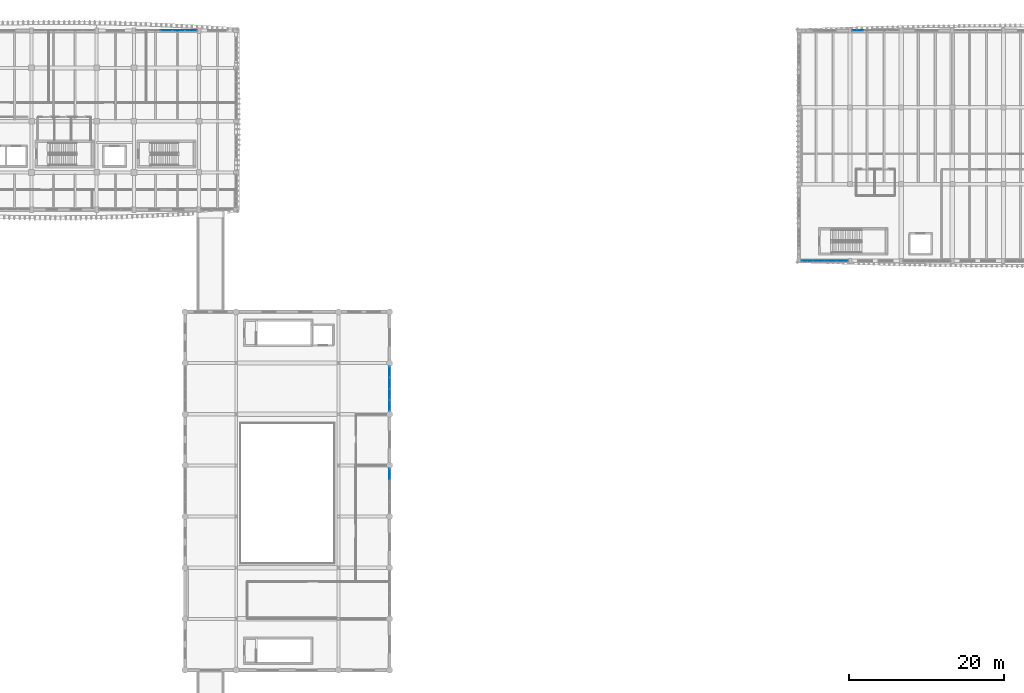
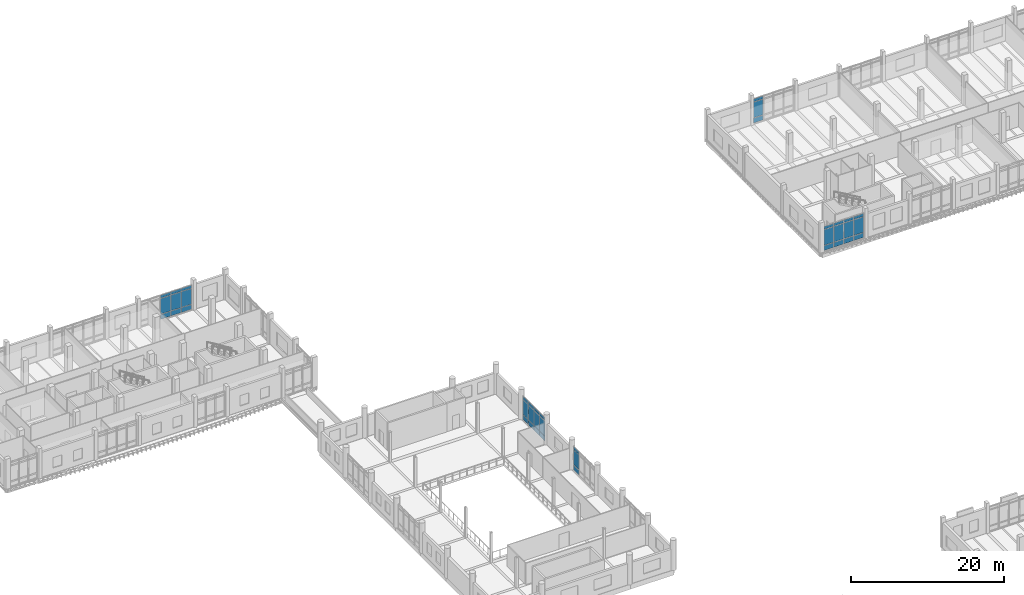
# One storey, part 37 of 76: 39 plates, 5 elements without a shape of their own.
"""IFC4 building model written with IfcOpenShell, lengths in metres."""

import ifcopenshell
import ifcopenshell.guid

model = None  # the IFC model being written
_history = None  # IfcOwnerHistory: only IFC2X3 demands one
_inside = {}  # id of a spatial element -> (the spatial element, [elements in it])
_under = {}  # id of a project, library or spatial element -> (it, [spatial elements below it])
_declared = {}  # id of a project -> (the project, [libraries it declares])
_typed = {}  # id of a type object -> (the type object, [elements of that type])
_made_of = {}  # id of a material, layer set ... -> (it, [elements and type objects made of it])


def new_model(schema):
    """Start an empty IFC model of exactly this schema.

    Asked for "IFC4X3", IfcOpenShell would pick the latest addendum, in which some entities
    have other attributes; the version numbers below select the first issue.
    IFC2X3 requires an IfcOwnerHistory on every rooted entity: one is made here for all.
    """
    global model, _history
    if schema == "IFC4X3":
        model = ifcopenshell.file(schema_version=(4, 3, 0, 0))
    else:
        model = ifcopenshell.file(schema=schema)
    _inside.clear()
    _under.clear()
    _declared.clear()
    _typed.clear()
    _made_of.clear()
    _history = None
    if model.schema == "IFC2X3":
        org = make("IfcOrganization", Name="unknown")
        user = make(
            "IfcPersonAndOrganization",
            ThePerson=make("IfcPerson", FamilyName="unknown"),
            TheOrganization=org,
        )
        app = make(
            "IfcApplication",
            ApplicationDeveloper=org,
            Version="unknown",
            ApplicationFullName="unknown",
            ApplicationIdentifier="unknown",
        )
        _history = make(
            "IfcOwnerHistory",
            OwningUser=user,
            OwningApplication=app,
            ChangeAction="ADDED",
            CreationDate=0,
        )
    return model


def make(cls, **values):
    """One entity of the class cls with the attributes given. An attribute that is None is left unset."""
    return model.create_entity(
        cls, **{name: value for name, value in values.items() if value is not None}
    )


def rooted(cls, **values):
    """An entity with a GlobalId (a new one), such as an element, a storey or a relation."""
    return make(cls, GlobalId=ifcopenshell.guid.new(), OwnerHistory=_history, **values)


def si_unit(unit_type, name, prefix=None):
    """IfcSIUnit, for example si_unit("LENGTHUNIT", "METRE", prefix="MILLI")."""
    return make("IfcSIUnit", UnitType=unit_type, Prefix=prefix, Name=name)


def assignment(units):
    """IfcUnitAssignment: the units of a project."""
    return None if units is None else make("IfcUnitAssignment", Units=units)


def point(xyz):
    """IfcCartesianPoint."""
    return None if xyz is None else make("IfcCartesianPoint", Coordinates=xyz)


def direction(xyz):
    """IfcDirection."""
    return None if xyz is None else make("IfcDirection", DirectionRatios=xyz)


def frame(location, z_axis=None, x_axis=None):
    """IfcAxis2Placement3D, a coordinate frame: its origin and axes. An axis left out is left unset."""
    return make(
        "IfcAxis2Placement3D",
        Location=point(location),
        Axis=direction(z_axis),
        RefDirection=direction(x_axis),
    )


def frame_2d(location, x_axis=None):
    """IfcAxis2Placement2D, a coordinate frame in the plane: its origin and x axis."""
    return make(
        "IfcAxis2Placement2D", Location=point(location), RefDirection=direction(x_axis)
    )


def origin():
    """The frame at (0, 0, 0) with its axes left unset."""
    return frame((0.0, 0.0, 0.0))


def origin_2d():
    """The frame at (0, 0) in the plane with its x axis left unset."""
    return frame_2d((0.0, 0.0))


def place(relative_to, where):
    """IfcLocalPlacement: puts the frame where relative to a parent placement (None: the world)."""
    return make(
        "IfcLocalPlacement", PlacementRelTo=relative_to, RelativePlacement=where
    )


def context(
    kind, dimensions, precision=None, world=None, true_north=None, identifier=None
):
    """IfcGeometricRepresentationContext, for example the 3D "Model" context."""
    return make(
        "IfcGeometricRepresentationContext",
        ContextIdentifier=identifier,
        ContextType=kind,
        CoordinateSpaceDimension=dimensions,
        Precision=precision,
        WorldCoordinateSystem=world,
        TrueNorth=true_north,
    )


def subcontext(parent, identifier, kind, view, scale=None):
    """IfcGeometricRepresentationSubContext, for example "Body" below "Model"."""
    return make(
        "IfcGeometricRepresentationSubContext",
        ContextIdentifier=identifier,
        ContextType=kind,
        ParentContext=parent,
        TargetScale=scale,
        TargetView=view,
    )


def project(units=None, contexts=None):
    """IfcProject with its units and contexts."""
    return rooted(
        "IfcProject",
        Name="project",
        RepresentationContexts=contexts,
        UnitsInContext=assignment(units),
    )


def spatial(cls, under=None, at=None, **own):
    """A site, building, storey or space (cls), placed at a placement, below another one or the project."""
    s = rooted(cls, ObjectPlacement=at, **own)
    if under is not None:
        _under.setdefault(under.id(), (under, []))[1].append(s)
    return s


def profile(cls, at=None, kind="AREA", **sizes):
    """A parametric profile (cls). Its sizes go by their IFC names, for example OverallWidth=200.0."""
    return make(cls, ProfileType=kind, Position=at, **sizes)


def rectangle(**sizes):
    """IfcRectangleProfileDef."""
    return profile("IfcRectangleProfileDef", **sizes)


def extrude(swept, where, along, depth):
    """IfcExtrudedAreaSolid: the profile swept, set in the frame where, extruded along a direction by depth."""
    return make(
        "IfcExtrudedAreaSolid",
        SweptArea=swept,
        Position=where,
        ExtrudedDirection=direction(along),
        Depth=depth,
    )


def shape(context_of_items, identifier, shape_type, items):
    """IfcShapeRepresentation: the items that make up one representation, for example the "Body"."""
    return make(
        "IfcShapeRepresentation",
        ContextOfItems=context_of_items,
        RepresentationIdentifier=identifier,
        RepresentationType=shape_type,
        Items=items,
    )


def material(Name=None, Category=None):
    """IfcMaterial."""
    return make("IfcMaterial", Name=Name, Category=Category)


def layer(
    of_material, thickness, ventilated=None, Name=None, Category=None, Priority=None
):
    """IfcMaterialLayer: one layer of a wall or slab, of a material (None: an air gap)."""
    return make(
        "IfcMaterialLayer",
        Material=of_material,
        LayerThickness=thickness,
        IsVentilated=ventilated,
        Name=Name,
        Category=Category,
        Priority=Priority,
    )


def layer_set(layers, Name=None):
    """IfcMaterialLayerSet."""
    return make("IfcMaterialLayerSet", MaterialLayers=layers, LayerSetName=Name)


def made_of(thing, what):
    """Note that an element or type object is made of a material, layer set ...; save() writes the relation."""
    if what is not None:
        _made_of.setdefault(what.id(), (what, []))[1].append(thing)
    return thing


def type_object(cls, material=None, **own):
    """A type object (cls), such as IfcWallType, which elements share."""
    return made_of(rooted(cls, **own), material)


def element(
    cls,
    number,
    at=None,
    inside=None,
    cuts=None,
    type_object=None,
    material=None,
    context=None,
    identifier="Body",
    shape_type=None,
    held_by="IfcProductDefinitionShape",
    body=None,
    shapes=None,
    **own,
):
    """One element of the class cls, such as IfcWall. Its Tag is "e" and its number.

    at: its placement. inside: the storey or other place that contains it. cuts: it is an
    opening in that element (IfcRelVoidsElement). A single representation is given by context,
    identifier, shape_type and body (its items); several are given by shapes. held_by: the class
    of the entity that holds the representations. save() writes the other relations.
    """
    e = rooted(cls, Tag="e%d" % number, ObjectPlacement=at, **own)
    if body is not None:
        shapes = [shape(context, identifier, shape_type, body)]
    if shapes is not None:
        e.Representation = make(held_by, Representations=shapes)
    if inside is not None:
        _inside.setdefault(inside.id(), (inside, []))[1].append(e)
    if cuts is not None:
        rooted(
            "IfcRelVoidsElement", RelatingBuildingElement=cuts, RelatedOpeningElement=e
        )
    if type_object is not None:
        _typed.setdefault(type_object.id(), (type_object, []))[1].append(e)
    return made_of(e, material)


def aggregate(whole, parts):
    """IfcRelAggregates: a whole, such as a stair, and the parts it consists of."""
    return rooted("IfcRelAggregates", RelatingObject=whole, RelatedObjects=parts)


def save(model, path):
    """Write the relations noted so far, then the file.

    IfcRelAggregates (storeys below a building ...), IfcRelContainedInSpatialStructure (elements
    in a storey), IfcRelDefinesByType, IfcRelAssociatesMaterial and IfcRelDeclares: one each for
    every whole, place, type object, material and project.
    """
    for whole, parts in _under.values():
        aggregate(whole, parts)
    for where, things in _inside.values():
        rooted(
            "IfcRelContainedInSpatialStructure",
            RelatedElements=things,
            RelatingStructure=where,
        )
    for kind, things in _typed.values():
        rooted("IfcRelDefinesByType", RelatedObjects=things, RelatingType=kind)
    for what, things in _made_of.values():
        rooted("IfcRelAssociatesMaterial", RelatedObjects=things, RelatingMaterial=what)
    for by, libraries in _declared.values():
        rooted("IfcRelDeclares", RelatingContext=by, RelatedDefinitions=libraries)
    model.write(path)


model = new_model("IFC4")

# Units and contexts
model_context = context("Model", 3, precision=1e-05, world=origin(), true_north=direction((0.0, 1.0)))
body_context = subcontext(model_context, "Body", "Model", "MODEL_VIEW")
ifc_project = project(units=[si_unit("LENGTHUNIT", "METRE"), si_unit("AREAUNIT", "SQUARE_METRE"), si_unit("VOLUMEUNIT", "CUBIC_METRE"), si_unit("PLANEANGLEUNIT", "RADIAN"), si_unit("MASSUNIT", "GRAM", prefix="KILO")], contexts=[model_context])

# Site, building, storey
site_placement = place(None, origin())
site = spatial("IfcSite", under=ifc_project, at=site_placement, CompositionType="ELEMENT")
building_placement = place(site_placement, origin())
building = spatial("IfcBuilding", under=site, at=building_placement, Name="Dornvale Research Institute", CompositionType="ELEMENT")
storey_placement = place(building_placement, frame((0.0, 0.0, 15.0)))
storey = spatial("IfcBuildingStorey", under=building, at=storey_placement, Name="L03", CompositionType="ELEMENT", Elevation=15.0)

# Curtain wall, plates
ifc_material_1 = material(Name="Low-E Argon Double Insulating Glazing Unit", Category="glass")
curtain_wall_type_1 = type_object("IfcCurtainWallType", Name="UnitisedCurtainWall_V2_5810x3820", PredefinedType="USERDEFINED", material=ifc_material_1)
curtain_wall_1_placement = place(storey_placement, origin())
curtain_wall_1 = element("IfcCurtainWall", 1, at=curtain_wall_1_placement, inside=storey, type_object=curtain_wall_type_1, Name="L03 V2 unitised curtain wall CW-03 #17", ObjectType="UNITISED CURTAIN WALL", PredefinedType="USERDEFINED")
ifc_material_2 = material(Name="Insulated Ceramic-Frit Spandrel Glass Panel", Category="glass")
ifc_layer_1 = layer(ifc_material_2, 0.0419921875)
ifc_layer_set_1 = layer_set([ifc_layer_1], Name="Insulated Ceramic-Frit Spandrel Glass Panel")
plate_type_1 = type_object("IfcPlateType", Name="CurtainPanel_Spandrel_42", PredefinedType="CURTAIN_PANEL", material=ifc_layer_set_1)
plate_1_placement = place(storey_placement, frame((66.0, 78.0625, 0.06494140625), z_axis=(0.0, 0.0, 1.0), x_axis=(0.0, -1.0, 0.0)))
plate_1 = element("IfcPlate", 2, at=plate_1_placement, type_object=plate_type_1, Name="CW-03 panel 1.1", PredefinedType="CURTAIN_PANEL", context=body_context, shape_type="SweptSolid", body=[
    extrude(rectangle(XDim=1.35498046875, YDim=0.0419921875, at=origin_2d()), origin(), (0.0, 0.0, 1.0), 0.75244140625),
])
plate_2_placement = place(storey_placement, frame((66.0, 76.626220703125, 0.06494140625), z_axis=(0.0, 0.0, 1.0), x_axis=(0.0, -1.0, 0.0)))
plate_2 = element("IfcPlate", 3, at=plate_2_placement, type_object=plate_type_1, Name="CW-03 panel 2.1", PredefinedType="CURTAIN_PANEL", context=body_context, shape_type="SweptSolid", body=[
    extrude(rectangle(XDim=1.387451171875, YDim=0.0419921875, at=origin_2d()), origin(), (0.0, 0.0, 1.0), 0.75244140625),
])
plate_3_placement = place(storey_placement, frame((66.0, 75.173828125, 0.06494140625), z_axis=(0.0, 0.0, 1.0), x_axis=(0.0, -1.0, 0.0)))
plate_3 = element("IfcPlate", 4, at=plate_3_placement, type_object=plate_type_1, Name="CW-03 panel 3.1", PredefinedType="CURTAIN_PANEL", context=body_context, shape_type="SweptSolid", body=[
    extrude(rectangle(XDim=1.387451171875, YDim=0.0419921875, at=origin_2d()), origin(), (0.0, 0.0, 1.0), 0.75244140625),
])
plate_4_placement = place(storey_placement, frame((66.0, 73.737548828125, 0.06494140625), z_axis=(0.0, 0.0, 1.0), x_axis=(0.0, -1.0, 0.0)))
plate_4 = element("IfcPlate", 5, at=plate_4_placement, type_object=plate_type_1, Name="CW-03 panel 4.1", PredefinedType="CURTAIN_PANEL", context=body_context, shape_type="SweptSolid", body=[
    extrude(rectangle(XDim=1.35498046875, YDim=0.0419921875, at=origin_2d()), origin(), (0.0, 0.0, 1.0), 0.75244140625),
])

# Curtain wall, plate
curtain_wall_2_placement = place(storey_placement, origin())
curtain_wall_2 = element("IfcCurtainWall", 6, at=curtain_wall_2_placement, inside=storey, type_object=curtain_wall_type_1, Name="L03 V2 unitised curtain wall CW-03 #18", ObjectType="UNITISED CURTAIN WALL", PredefinedType="USERDEFINED")
plate_5_placement = place(storey_placement, frame((66.0, 64.862548828125, 0.06494140625), z_axis=(0.0, 0.0, 1.0), x_axis=(0.0, -1.0, 0.0)))
plate_5 = element("IfcPlate", 7, at=plate_5_placement, type_object=plate_type_1, Name="CW-03 panel 1.1", PredefinedType="CURTAIN_PANEL", context=body_context, shape_type="SweptSolid", body=[
    extrude(rectangle(XDim=1.35498046875, YDim=0.0419921875, at=origin_2d()), origin(), (0.0, 0.0, 1.0), 0.75244140625),
])

ifc_material_3 = material(Name="Low-E Argon Double Insulating Glazing Unit", Category="glass")
curtain_wall_type_2 = type_object("IfcCurtainWallType", Name="UnitisedCurtainWall_V4_6150x3950", PredefinedType="USERDEFINED", material=ifc_material_3)
curtain_wall_3_placement = place(storey_placement, origin())
curtain_wall_3 = element("IfcCurtainWall", 8, at=curtain_wall_3_placement, inside=storey, type_object=curtain_wall_type_2, Name="L03 V4 unitised curtain wall CW-15 #91", ObjectType="UNITISED CURTAIN WALL", PredefinedType="USERDEFINED")
plate_6_placement = place(storey_placement, frame((126.409912109375, 122.10009765625, 0.06494140625), z_axis=(0.0, 0.0, 1.0), x_axis=(1.0, 0.0, 0.0)))
plate_6 = element("IfcPlate", 9, at=plate_6_placement, type_object=plate_type_1, Name="CW-15 panel 1.1", PredefinedType="CURTAIN_PANEL", context=body_context, shape_type="SweptSolid", body=[
    extrude(rectangle(XDim=1.43994140625, YDim=0.0419921875, at=origin_2d()), origin(), (0.0, 0.0, 1.0), 0.75244140625),
])

# Curtain wall, plates
ifc_material_4 = material(Name="Low-E Argon Double Insulating Glazing Unit", Category="glass")
curtain_wall_type_3 = type_object("IfcCurtainWallType", Name="UnitisedCurtainWall_V4_6050x3950", PredefinedType="USERDEFINED", material=ifc_material_4)
curtain_wall_4_placement = place(storey_placement, origin())
curtain_wall_4 = element("IfcCurtainWall", 10, at=curtain_wall_4_placement, inside=storey, type_object=curtain_wall_type_3, Name="L03 V4 unitised curtain wall CW-18 #99", ObjectType="UNITISED CURTAIN WALL", PredefinedType="USERDEFINED")
plate_7_placement = place(storey_placement, frame((124.402587890625, 92.39990234375, 0.06494140625), z_axis=(0.0, 0.0, 1.0), x_axis=(-1.0, 0.0, 0.0)))
plate_7 = element("IfcPlate", 11, at=plate_7_placement, type_object=plate_type_1, Name="CW-18 panel 1.1", PredefinedType="CURTAIN_PANEL", context=body_context, shape_type="SweptSolid", body=[
    extrude(rectangle(XDim=1.4150390625, YDim=0.0419921875, at=origin_2d()), origin(), (0.0, 0.0, 1.0), 0.75244140625),
])
plate_8_placement = place(storey_placement, frame((122.90625, 92.39990234375, 0.06494140625), z_axis=(0.0, 0.0, 1.0), x_axis=(-1.0, 0.0, 0.0)))
plate_8 = element("IfcPlate", 12, at=plate_8_placement, type_object=plate_type_1, Name="CW-18 panel 2.1", PredefinedType="CURTAIN_PANEL", context=body_context, shape_type="SweptSolid", body=[
    extrude(rectangle(XDim=1.447509765625, YDim=0.0419921875, at=origin_2d()), origin(), (0.0, 0.0, 1.0), 0.75244140625),
])
plate_9_placement = place(storey_placement, frame((121.393798828125, 92.39990234375, 0.06494140625), z_axis=(0.0, 0.0, 1.0), x_axis=(-1.0, 0.0, 0.0)))
plate_9 = element("IfcPlate", 13, at=plate_9_placement, type_object=plate_type_1, Name="CW-18 panel 3.1", PredefinedType="CURTAIN_PANEL", context=body_context, shape_type="SweptSolid", body=[
    extrude(rectangle(XDim=1.447509765625, YDim=0.0419921875, at=origin_2d()), origin(), (0.0, 0.0, 1.0), 0.75244140625),
])
plate_10_placement = place(storey_placement, frame((119.8974609375, 92.39990234375, 0.06494140625), z_axis=(0.0, 0.0, 1.0), x_axis=(-1.0, 0.0, 0.0)))
plate_10 = element("IfcPlate", 14, at=plate_10_placement, type_object=plate_type_1, Name="CW-18 panel 4.1", PredefinedType="CURTAIN_PANEL", context=body_context, shape_type="SweptSolid", body=[
    extrude(rectangle(XDim=1.4150390625, YDim=0.0419921875, at=origin_2d()), origin(), (0.0, 0.0, 1.0), 0.75244140625),
])

ifc_material_5 = material(Name="Low-E Argon Double Insulating Glazing Unit", Category="glass")
curtain_wall_type_4 = type_object("IfcCurtainWallType", Name="UnitisedCurtainWall_V5_7900x3950", PredefinedType="USERDEFINED", material=ifc_material_5)
curtain_wall_5_placement = place(storey_placement, origin())
curtain_wall_5 = element("IfcCurtainWall", 15, at=curtain_wall_5_placement, inside=storey, type_object=curtain_wall_type_4, Name="L03 V5 unitised curtain wall CW-24 #150", ObjectType="UNITISED CURTAIN WALL", PredefinedType="USERDEFINED")
plate_11_placement = place(storey_placement, frame((37.199951171875, 122.10009765625, 0.06494140625), z_axis=(0.0, 0.0, 1.0), x_axis=(1.0, 0.0, 0.0)))
plate_11 = element("IfcPlate", 16, at=plate_11_placement, type_object=plate_type_1, Name="CW-24 panel 3.1", PredefinedType="CURTAIN_PANEL", context=body_context, shape_type="SweptSolid", body=[
    extrude(rectangle(XDim=1.514892578125, YDim=0.0419921875, at=origin_2d()), origin(), (0.0, 0.0, 1.0), 0.75244140625),
])
plate_12_placement = place(storey_placement, frame((38.780029296875, 122.10009765625, 0.06494140625), z_axis=(0.0, 0.0, 1.0), x_axis=(1.0, 0.0, 0.0)))
plate_12 = element("IfcPlate", 17, at=plate_12_placement, type_object=plate_type_1, Name="CW-24 panel 4.1", PredefinedType="CURTAIN_PANEL", context=body_context, shape_type="SweptSolid", body=[
    extrude(rectangle(XDim=1.514892578125, YDim=0.0419921875, at=origin_2d()), origin(), (0.0, 0.0, 1.0), 0.75244140625),
])
plate_13_placement = place(storey_placement, frame((40.34375, 122.10009765625, 0.06494140625), z_axis=(0.0, 0.0, 1.0), x_axis=(1.0, 0.0, 0.0)))
plate_13 = element("IfcPlate", 18, at=plate_13_placement, type_object=plate_type_1, Name="CW-24 panel 5.1", PredefinedType="CURTAIN_PANEL", context=body_context, shape_type="SweptSolid", body=[
    extrude(rectangle(XDim=1.482421875, YDim=0.0419921875, at=origin_2d()), origin(), (0.0, 0.0, 1.0), 0.75244140625),
])

# Plate
ifc_material_6 = material(Name="Low-E Argon Double Insulating Glazing Unit", Category="glass")
ifc_layer_2 = layer(ifc_material_6, 0.028076171875)
ifc_layer_set_2 = layer_set([ifc_layer_2], Name="Low-E Argon Double Insulating Glazing Unit")
plate_type_2 = type_object("IfcPlateType", Name="CurtainPanel_Vision_28", PredefinedType="CURTAIN_PANEL", material=ifc_layer_set_2)
plate_14_placement = place(storey_placement, frame((66.0, 78.0625, 0.882568359375), z_axis=(0.0, 0.0, 1.0), x_axis=(0.0, -1.0, 0.0)))
plate_14 = element("IfcPlate", 19, at=plate_14_placement, type_object=plate_type_2, Name="CW-03 panel 1.2", PredefinedType="CURTAIN_PANEL", context=body_context, shape_type="SweptSolid", body=[
    extrude(rectangle(XDim=1.35498046875, YDim=0.028076171875, at=origin_2d()), origin(), (0.0, 0.0, 1.0), 2.35498046875),
])

plate_15_placement = place(storey_placement, frame((66.0, 78.0625, 3.302734375), z_axis=(0.0, 0.0, 1.0), x_axis=(0.0, -1.0, 0.0)))
plate_15 = element("IfcPlate", 20, at=plate_15_placement, type_object=plate_type_2, Name="CW-03 panel 1.3", PredefinedType="CURTAIN_PANEL", context=body_context, shape_type="SweptSolid", body=[
    extrude(rectangle(XDim=1.35498046875, YDim=0.028076171875, at=origin_2d()), origin(), (0.0, 0.0, 1.0), 0.452392578125),
])

plate_16_placement = place(storey_placement, frame((66.0, 76.626220703125, 0.882568359375), z_axis=(0.0, 0.0, 1.0), x_axis=(0.0, -1.0, 0.0)))
plate_16 = element("IfcPlate", 21, at=plate_16_placement, type_object=plate_type_2, Name="CW-03 panel 2.2", PredefinedType="CURTAIN_PANEL", context=body_context, shape_type="SweptSolid", body=[
    extrude(rectangle(XDim=1.387451171875, YDim=0.028076171875, at=origin_2d()), origin(), (0.0, 0.0, 1.0), 2.35498046875),
])

plate_17_placement = place(storey_placement, frame((66.0, 76.626220703125, 3.302734375), z_axis=(0.0, 0.0, 1.0), x_axis=(0.0, -1.0, 0.0)))
plate_17 = element("IfcPlate", 22, at=plate_17_placement, type_object=plate_type_2, Name="CW-03 panel 2.3", PredefinedType="CURTAIN_PANEL", context=body_context, shape_type="SweptSolid", body=[
    extrude(rectangle(XDim=1.387451171875, YDim=0.028076171875, at=origin_2d()), origin(), (0.0, 0.0, 1.0), 0.452392578125),
])

plate_18_placement = place(storey_placement, frame((66.0, 75.173828125, 0.882568359375), z_axis=(0.0, 0.0, 1.0), x_axis=(0.0, -1.0, 0.0)))
plate_18 = element("IfcPlate", 23, at=plate_18_placement, type_object=plate_type_2, Name="CW-03 panel 3.2", PredefinedType="CURTAIN_PANEL", context=body_context, shape_type="SweptSolid", body=[
    extrude(rectangle(XDim=1.387451171875, YDim=0.028076171875, at=origin_2d()), origin(), (0.0, 0.0, 1.0), 2.35498046875),
])

plate_19_placement = place(storey_placement, frame((66.0, 75.173828125, 3.302734375), z_axis=(0.0, 0.0, 1.0), x_axis=(0.0, -1.0, 0.0)))
plate_19 = element("IfcPlate", 24, at=plate_19_placement, type_object=plate_type_2, Name="CW-03 panel 3.3", PredefinedType="CURTAIN_PANEL", context=body_context, shape_type="SweptSolid", body=[
    extrude(rectangle(XDim=1.387451171875, YDim=0.028076171875, at=origin_2d()), origin(), (0.0, 0.0, 1.0), 0.452392578125),
])

plate_20_placement = place(storey_placement, frame((66.0, 73.737548828125, 0.882568359375), z_axis=(0.0, 0.0, 1.0), x_axis=(0.0, -1.0, 0.0)))
plate_20 = element("IfcPlate", 25, at=plate_20_placement, type_object=plate_type_2, Name="CW-03 panel 4.2", PredefinedType="CURTAIN_PANEL", context=body_context, shape_type="SweptSolid", body=[
    extrude(rectangle(XDim=1.35498046875, YDim=0.028076171875, at=origin_2d()), origin(), (0.0, 0.0, 1.0), 2.35498046875),
])

plate_21_placement = place(storey_placement, frame((66.0, 73.737548828125, 3.302734375), z_axis=(0.0, 0.0, 1.0), x_axis=(0.0, -1.0, 0.0)))
plate_21 = element("IfcPlate", 26, at=plate_21_placement, type_object=plate_type_2, Name="CW-03 panel 4.3", PredefinedType="CURTAIN_PANEL", context=body_context, shape_type="SweptSolid", body=[
    extrude(rectangle(XDim=1.35498046875, YDim=0.028076171875, at=origin_2d()), origin(), (0.0, 0.0, 1.0), 0.452392578125),
])

aggregate(curtain_wall_1, [plate_1, plate_14, plate_15, plate_2, plate_16, plate_17, plate_3, plate_18, plate_19, plate_4, plate_20, plate_21])

plate_22_placement = place(storey_placement, frame((66.0, 64.862548828125, 0.882568359375), z_axis=(0.0, 0.0, 1.0), x_axis=(0.0, -1.0, 0.0)))
plate_22 = element("IfcPlate", 27, at=plate_22_placement, type_object=plate_type_2, Name="CW-03 panel 1.2", PredefinedType="CURTAIN_PANEL", context=body_context, shape_type="SweptSolid", body=[
    extrude(rectangle(XDim=1.35498046875, YDim=0.028076171875, at=origin_2d()), origin(), (0.0, 0.0, 1.0), 2.35498046875),
])

plate_23_placement = place(storey_placement, frame((66.0, 64.862548828125, 3.302734375), z_axis=(0.0, 0.0, 1.0), x_axis=(0.0, -1.0, 0.0)))
plate_23 = element("IfcPlate", 28, at=plate_23_placement, type_object=plate_type_2, Name="CW-03 panel 1.3", PredefinedType="CURTAIN_PANEL", context=body_context, shape_type="SweptSolid", body=[
    extrude(rectangle(XDim=1.35498046875, YDim=0.028076171875, at=origin_2d()), origin(), (0.0, 0.0, 1.0), 0.452392578125),
])

aggregate(curtain_wall_2, [plate_5, plate_22, plate_23])

plate_24_placement = place(storey_placement, frame((126.409912109375, 122.10009765625, 0.88232421875), z_axis=(0.0, 0.0, 1.0), x_axis=(1.0, 0.0, 0.0)))
plate_24 = element("IfcPlate", 29, at=plate_24_placement, type_object=plate_type_2, Name="CW-15 panel 1.2", PredefinedType="CURTAIN_PANEL", context=body_context, shape_type="SweptSolid", body=[
    extrude(rectangle(XDim=1.43994140625, YDim=0.028076171875, at=origin_2d()), origin(), (0.0, 0.0, 1.0), 2.485107421875),
])

plate_25_placement = place(storey_placement, frame((126.409912109375, 122.10009765625, 3.4326171875), z_axis=(0.0, 0.0, 1.0), x_axis=(1.0, 0.0, 0.0)))
plate_25 = element("IfcPlate", 30, at=plate_25_placement, type_object=plate_type_2, Name="CW-15 panel 1.3", PredefinedType="CURTAIN_PANEL", context=body_context, shape_type="SweptSolid", body=[
    extrude(rectangle(XDim=1.43994140625, YDim=0.028076171875, at=origin_2d()), origin(), (0.0, 0.0, 1.0), 0.452392578125),
])

aggregate(curtain_wall_3, [plate_6, plate_24, plate_25])

plate_26_placement = place(storey_placement, frame((124.402587890625, 92.39990234375, 0.88232421875), z_axis=(0.0, 0.0, 1.0), x_axis=(-1.0, 0.0, 0.0)))
plate_26 = element("IfcPlate", 31, at=plate_26_placement, type_object=plate_type_2, Name="CW-18 panel 1.2", PredefinedType="CURTAIN_PANEL", context=body_context, shape_type="SweptSolid", body=[
    extrude(rectangle(XDim=1.4150390625, YDim=0.028076171875, at=origin_2d()), origin(), (0.0, 0.0, 1.0), 2.485107421875),
])

plate_27_placement = place(storey_placement, frame((124.402587890625, 92.39990234375, 3.4326171875), z_axis=(0.0, 0.0, 1.0), x_axis=(-1.0, 0.0, 0.0)))
plate_27 = element("IfcPlate", 32, at=plate_27_placement, type_object=plate_type_2, Name="CW-18 panel 1.3", PredefinedType="CURTAIN_PANEL", context=body_context, shape_type="SweptSolid", body=[
    extrude(rectangle(XDim=1.4150390625, YDim=0.028076171875, at=origin_2d()), origin(), (0.0, 0.0, 1.0), 0.452392578125),
])

plate_28_placement = place(storey_placement, frame((122.90625, 92.39990234375, 0.88232421875), z_axis=(0.0, 0.0, 1.0), x_axis=(-1.0, 0.0, 0.0)))
plate_28 = element("IfcPlate", 33, at=plate_28_placement, type_object=plate_type_2, Name="CW-18 panel 2.2", PredefinedType="CURTAIN_PANEL", context=body_context, shape_type="SweptSolid", body=[
    extrude(rectangle(XDim=1.447509765625, YDim=0.028076171875, at=origin_2d()), origin(), (0.0, 0.0, 1.0), 2.485107421875),
])

plate_29_placement = place(storey_placement, frame((122.90625, 92.39990234375, 3.4326171875), z_axis=(0.0, 0.0, 1.0), x_axis=(-1.0, 0.0, 0.0)))
plate_29 = element("IfcPlate", 34, at=plate_29_placement, type_object=plate_type_2, Name="CW-18 panel 2.3", PredefinedType="CURTAIN_PANEL", context=body_context, shape_type="SweptSolid", body=[
    extrude(rectangle(XDim=1.447509765625, YDim=0.028076171875, at=origin_2d()), origin(), (0.0, 0.0, 1.0), 0.452392578125),
])

plate_30_placement = place(storey_placement, frame((121.393798828125, 92.39990234375, 0.88232421875), z_axis=(0.0, 0.0, 1.0), x_axis=(-1.0, 0.0, 0.0)))
plate_30 = element("IfcPlate", 35, at=plate_30_placement, type_object=plate_type_2, Name="CW-18 panel 3.2", PredefinedType="CURTAIN_PANEL", context=body_context, shape_type="SweptSolid", body=[
    extrude(rectangle(XDim=1.447509765625, YDim=0.028076171875, at=origin_2d()), origin(), (0.0, 0.0, 1.0), 2.485107421875),
])

plate_31_placement = place(storey_placement, frame((121.393798828125, 92.39990234375, 3.4326171875), z_axis=(0.0, 0.0, 1.0), x_axis=(-1.0, 0.0, 0.0)))
plate_31 = element("IfcPlate", 36, at=plate_31_placement, type_object=plate_type_2, Name="CW-18 panel 3.3", PredefinedType="CURTAIN_PANEL", context=body_context, shape_type="SweptSolid", body=[
    extrude(rectangle(XDim=1.447509765625, YDim=0.028076171875, at=origin_2d()), origin(), (0.0, 0.0, 1.0), 0.452392578125),
])

plate_32_placement = place(storey_placement, frame((119.8974609375, 92.39990234375, 0.88232421875), z_axis=(0.0, 0.0, 1.0), x_axis=(-1.0, 0.0, 0.0)))
plate_32 = element("IfcPlate", 37, at=plate_32_placement, type_object=plate_type_2, Name="CW-18 panel 4.2", PredefinedType="CURTAIN_PANEL", context=body_context, shape_type="SweptSolid", body=[
    extrude(rectangle(XDim=1.4150390625, YDim=0.028076171875, at=origin_2d()), origin(), (0.0, 0.0, 1.0), 2.485107421875),
])

plate_33_placement = place(storey_placement, frame((119.8974609375, 92.39990234375, 3.4326171875), z_axis=(0.0, 0.0, 1.0), x_axis=(-1.0, 0.0, 0.0)))
plate_33 = element("IfcPlate", 38, at=plate_33_placement, type_object=plate_type_2, Name="CW-18 panel 4.3", PredefinedType="CURTAIN_PANEL", context=body_context, shape_type="SweptSolid", body=[
    extrude(rectangle(XDim=1.4150390625, YDim=0.028076171875, at=origin_2d()), origin(), (0.0, 0.0, 1.0), 0.452392578125),
])

aggregate(curtain_wall_4, [plate_7, plate_26, plate_27, plate_8, plate_28, plate_29, plate_9, plate_30, plate_31, plate_10, plate_32, plate_33])

plate_34_placement = place(storey_placement, frame((37.199951171875, 122.10009765625, 0.88232421875), z_axis=(0.0, 0.0, 1.0), x_axis=(1.0, 0.0, 0.0)))
plate_34 = element("IfcPlate", 39, at=plate_34_placement, type_object=plate_type_2, Name="CW-24 panel 3.2", PredefinedType="CURTAIN_PANEL", context=body_context, shape_type="SweptSolid", body=[
    extrude(rectangle(XDim=1.514892578125, YDim=0.028076171875, at=origin_2d()), origin(), (0.0, 0.0, 1.0), 2.485107421875),
])

plate_35_placement = place(storey_placement, frame((37.199951171875, 122.10009765625, 3.4326171875), z_axis=(0.0, 0.0, 1.0), x_axis=(1.0, 0.0, 0.0)))
plate_35 = element("IfcPlate", 40, at=plate_35_placement, type_object=plate_type_2, Name="CW-24 panel 3.3", PredefinedType="CURTAIN_PANEL", context=body_context, shape_type="SweptSolid", body=[
    extrude(rectangle(XDim=1.514892578125, YDim=0.028076171875, at=origin_2d()), origin(), (0.0, 0.0, 1.0), 0.452392578125),
])

plate_36_placement = place(storey_placement, frame((38.780029296875, 122.10009765625, 0.88232421875), z_axis=(0.0, 0.0, 1.0), x_axis=(1.0, 0.0, 0.0)))
plate_36 = element("IfcPlate", 41, at=plate_36_placement, type_object=plate_type_2, Name="CW-24 panel 4.2", PredefinedType="CURTAIN_PANEL", context=body_context, shape_type="SweptSolid", body=[
    extrude(rectangle(XDim=1.514892578125, YDim=0.028076171875, at=origin_2d()), origin(), (0.0, 0.0, 1.0), 2.485107421875),
])

plate_37_placement = place(storey_placement, frame((38.780029296875, 122.10009765625, 3.4326171875), z_axis=(0.0, 0.0, 1.0), x_axis=(1.0, 0.0, 0.0)))
plate_37 = element("IfcPlate", 42, at=plate_37_placement, type_object=plate_type_2, Name="CW-24 panel 4.3", PredefinedType="CURTAIN_PANEL", context=body_context, shape_type="SweptSolid", body=[
    extrude(rectangle(XDim=1.514892578125, YDim=0.028076171875, at=origin_2d()), origin(), (0.0, 0.0, 1.0), 0.452392578125),
])

plate_38_placement = place(storey_placement, frame((40.34375, 122.10009765625, 0.88232421875), z_axis=(0.0, 0.0, 1.0), x_axis=(1.0, 0.0, 0.0)))
plate_38 = element("IfcPlate", 43, at=plate_38_placement, type_object=plate_type_2, Name="CW-24 panel 5.2", PredefinedType="CURTAIN_PANEL", context=body_context, shape_type="SweptSolid", body=[
    extrude(rectangle(XDim=1.482421875, YDim=0.028076171875, at=origin_2d()), origin(), (0.0, 0.0, 1.0), 2.485107421875),
])

plate_39_placement = place(storey_placement, frame((40.34375, 122.10009765625, 3.4326171875), z_axis=(0.0, 0.0, 1.0), x_axis=(1.0, 0.0, 0.0)))
plate_39 = element("IfcPlate", 44, at=plate_39_placement, type_object=plate_type_2, Name="CW-24 panel 5.3", PredefinedType="CURTAIN_PANEL", context=body_context, shape_type="SweptSolid", body=[
    extrude(rectangle(XDim=1.482421875, YDim=0.028076171875, at=origin_2d()), origin(), (0.0, 0.0, 1.0), 0.452392578125),
])

aggregate(curtain_wall_5, [plate_11, plate_34, plate_35, plate_12, plate_36, plate_37, plate_13, plate_38, plate_39])

save(model, "model.ifc")
